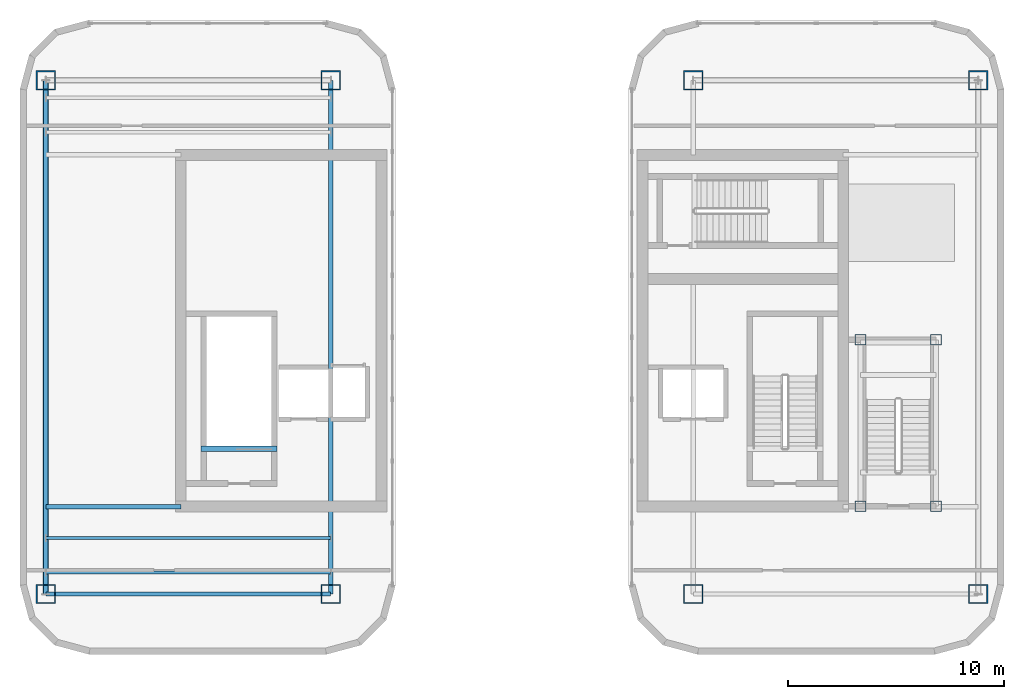
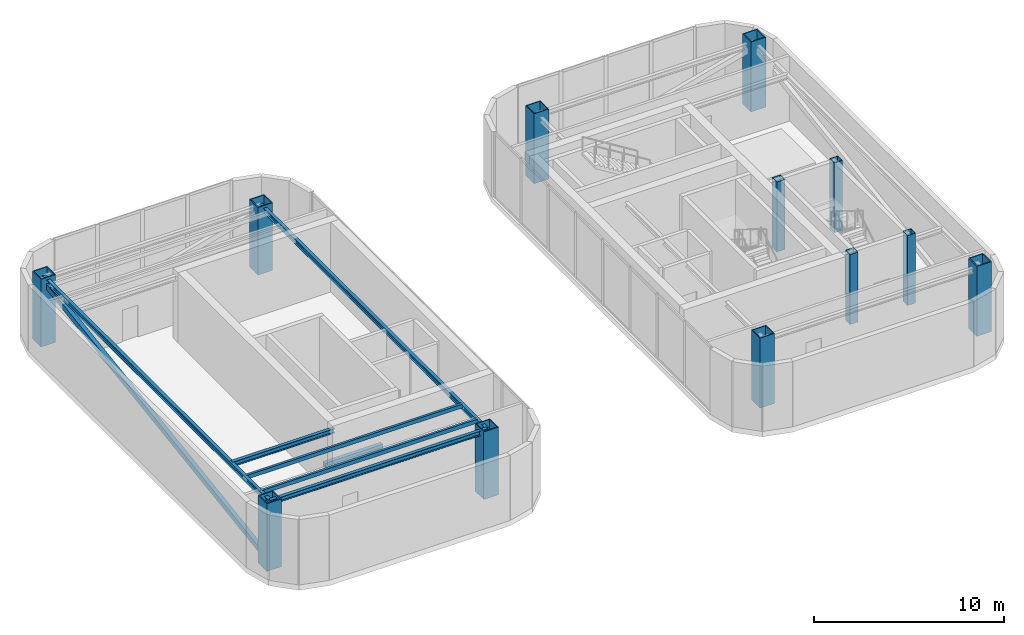
# One storey, part 1 of 13: 12 columns, 5 beams, 3 members.
"""IFC4 building model written with IfcOpenShell, lengths in metres."""

from ifc_helpers import new_model, si_unit, direction, frame, origin, origin_2d, place, context, subcontext, project, spatial, rectangle, hollow_rectangle, i_section, extrude, material, material_profile, profile_set, type_object, element, save


model = new_model("IFC4")

# Units and contexts
model_context = context("Model", 3, precision=1e-05, world=origin(), true_north=direction((0.0, 1.0)))
body_context = subcontext(model_context, "Body", "Model", "MODEL_VIEW")
ifc_project = project(units=[si_unit("LENGTHUNIT", "METRE"), si_unit("AREAUNIT", "SQUARE_METRE"), si_unit("VOLUMEUNIT", "CUBIC_METRE"), si_unit("PLANEANGLEUNIT", "RADIAN"), si_unit("MASSUNIT", "GRAM", prefix="KILO")], contexts=[model_context])

# Site, building, storey
site_placement = place(None, origin())
site = spatial("IfcSite", under=ifc_project, at=site_placement, CompositionType="ELEMENT")
building_placement = place(site_placement, origin())
building = spatial("IfcBuilding", under=site, at=building_placement, Name="Kiyonajd Concourse Tower", CompositionType="ELEMENT")
storey_placement = place(building_placement, frame((0.0, 0.0, 363.89990234375)))
storey = spatial("IfcBuildingStorey", under=building, at=storey_placement, Name="L91", CompositionType="ELEMENT", Elevation=363.89990234375)

# Columns
ifc_material_1 = material(Name="Steel ASTM A572 Grade 50", Category="steel")
ifc_material_profile_1 = material_profile(ifc_material_1, hollow_rectangle(XDim=0.89990234375, YDim=0.89990234375, WallThickness=0.054931640625, at=origin_2d()), Name="BOX-900x900x55")
ifc_profile_set_1 = profile_set([ifc_material_profile_1], Name="Steel ASTM A572 Grade 50")
column_type_1 = type_object("IfcColumnType", Name="CL-CRN-BOX", PredefinedType="COLUMN", material=ifc_profile_set_1)
for number, where, z_axis, x_axis, name in (
    (1, (26.39990234375, 23.800048828125, 0.0), (0.0, 0.0, 1.0), (1.0, 0.0, 0.0), "L91 West Crown Frame Column"),
    (2, (39.60009765625, 23.800048828125, 0.0), (0.0, 0.0, 1.0), (1.0, 0.0, 0.0), "L91 West Crown Frame Column"),
    (3, (39.60009765625, 47.60009765625, 0.0), (0.0, 0.0, 1.0), (1.0, 0.0, 0.0), "L91 West Crown Frame Column"),
    (4, (26.39990234375, 47.60009765625, 0.0), (0.0, 0.0, 1.0), (1.0, 0.0, 0.0), "L91 West Crown Frame Column"),
):
    element("IfcColumn", number, at=place(storey_placement, frame(where, z_axis=z_axis, x_axis=x_axis)), inside=storey, type_object=column_type_1, Name=name, PredefinedType="COLUMN", context=body_context, shape_type="SweptSolid", body=[
        extrude(hollow_rectangle(XDim=0.89990234375, YDim=0.89990234375, WallThickness=0.054931640625, at=origin_2d()), origin(), (0.0, 0.0, 1.0), 4.360107421875),
    ])
for number, where, z_axis, x_axis, name in (
    (5, (56.39990234375, 23.800048828125, 0.0), (0.0, 0.0, 1.0), (1.0, 0.0, 0.0), "L91 East Crown Frame Column"),
    (6, (69.60009765625, 23.800048828125, 0.0), (0.0, 0.0, 1.0), (1.0, 0.0, 0.0), "L91 East Crown Frame Column"),
    (7, (69.60009765625, 47.60009765625, 0.0), (0.0, 0.0, 1.0), (1.0, 0.0, 0.0), "L91 East Crown Frame Column"),
    (8, (56.39990234375, 47.60009765625, 0.0), (0.0, 0.0, 1.0), (1.0, 0.0, 0.0), "L91 East Crown Frame Column"),
):
    element("IfcColumn", number, at=place(storey_placement, frame(where, z_axis=z_axis, x_axis=x_axis)), inside=storey, type_object=column_type_1, Name=name, PredefinedType="COLUMN", context=body_context, shape_type="SweptSolid", body=[
        extrude(hollow_rectangle(XDim=0.89990234375, YDim=0.89990234375, WallThickness=0.054931640625, at=origin_2d()), origin(), (0.0, 0.0, 1.0), 4.5),
    ])
ifc_material_profile_2 = material_profile(ifc_material_1, hollow_rectangle(XDim=0.5, YDim=0.5, WallThickness=0.02490234375, at=origin_2d()), Name="HSS-500x500x25")
ifc_profile_set_2 = profile_set([ifc_material_profile_2], Name="Steel ASTM A572 Grade 50")
column_type_2 = type_object("IfcColumnType", Name="CL-PIL-600", PredefinedType="PILASTER", material=ifc_profile_set_2)
for number, where, z_axis, x_axis, name in (
    (9, (64.14990234375, 27.8701171875, 0.0), (0.0, 0.0, 1.0), (1.0, 0.0, 0.0), "L91 Crown Stair Support Column"),
    (10, (67.64990234375, 27.8701171875, 0.0), (0.0, 0.0, 1.0), (1.0, 0.0, 0.0), "L91 Crown Stair Support Column"),
    (11, (64.14990234375, 35.580078125, 0.0), (0.0, 0.0, 1.0), (1.0, 0.0, 0.0), "L91 Crown Stair Support Column"),
    (12, (67.64990234375, 35.580078125, 0.0), (0.0, 0.0, 1.0), (1.0, 0.0, 0.0), "L91 Crown Stair Support Column"),
):
    element("IfcColumn", number, at=place(storey_placement, frame(where, z_axis=z_axis, x_axis=x_axis)), inside=storey, type_object=column_type_2, Name=name, PredefinedType="PILASTER", context=body_context, shape_type="SweptSolid", body=[
        extrude(hollow_rectangle(XDim=0.5, YDim=0.5, WallThickness=0.02490234375, at=origin_2d()), origin(), (0.0, 0.0, 1.0), 4.5),
    ])

# Beams
ifc_material_2 = material(Name="Steel ASTM A992 Grade 50", Category="steel")
ifc_material_profile_3 = material_profile(ifc_material_2, i_section(OverallWidth=0.2041015625, OverallDepth=0.305908203125, WebThickness=0.008544921875, FlangeThickness=0.0146484375, at=origin_2d()), Name="W310X67")
ifc_profile_set_3 = profile_set([ifc_material_profile_3], Name="Steel ASTM A992 Grade 50")
beam_type_1 = type_object("IfcBeamType", Name="BM-CRN-310", PredefinedType="BEAM", material=ifc_profile_set_3)
beam_1_placement = place(storey_placement, frame((26.39990234375, 23.800048828125, 4.047119140625), z_axis=(1.0, 0.0, 0.0), x_axis=(0.0, 1.0, 0.0)))
element("IfcBeam", 13, at=beam_1_placement, inside=storey, type_object=beam_type_1, Name="L91 W Crown Ring Beam 1", PredefinedType="BEAM", context=body_context, shape_type="SweptSolid", body=[
    extrude(i_section(OverallWidth=0.2041015625, OverallDepth=0.305908203125, WebThickness=0.008544921875, FlangeThickness=0.0146484375, at=origin_2d()), origin(), (0.0, 0.0, 1.0), 13.2001953125),
])
for number, where, z_axis, x_axis, name in (
    (14, (39.60009765625, 23.800048828125, 4.047119140625), (0.0, 1.0, 0.0), (-1.0, 0.0, 0.0), "L91 W Crown Ring Beam 2"),
    (15, (26.39990234375, 47.60009765625, 4.047119140625), (0.0, -1.0, 0.0), (1.0, 0.0, 0.0), "L91 W Crown Ring Beam 4"),
):
    element("IfcBeam", number, at=place(storey_placement, frame(where, z_axis=z_axis, x_axis=x_axis)), inside=storey, type_object=beam_type_1, Name=name, PredefinedType="BEAM", context=body_context, shape_type="SweptSolid", body=[
        extrude(i_section(OverallWidth=0.2041015625, OverallDepth=0.305908203125, WebThickness=0.008544921875, FlangeThickness=0.0146484375, at=origin_2d()), origin(), (0.0, 0.0, 1.0), 23.800048828125),
    ])
beam_2_placement = place(storey_placement, frame((26.39990234375, 27.85009765625, 4.047119140625), z_axis=(1.0, 0.0, 0.0), x_axis=(0.0, 1.0, 0.0)))
element("IfcBeam", 16, at=beam_2_placement, inside=storey, type_object=beam_type_1, Name="L91 W Crown Core Tie South", PredefinedType="BEAM", context=body_context, shape_type="SweptSolid", body=[
    extrude(i_section(OverallWidth=0.2041015625, OverallDepth=0.305908203125, WebThickness=0.008544921875, FlangeThickness=0.0146484375, at=origin_2d()), origin(), (0.0, 0.0, 1.0), 6.25),
])
ifc_material_3 = material(Name="Concrete C50/60", Category="concrete")
ifc_material_profile_4 = material_profile(ifc_material_3, rectangle(XDim=0.239990234375, YDim=0.320068359375, at=origin_2d()), Name="RCBM-240x320")
ifc_profile_set_4 = profile_set([ifc_material_profile_4], Name="Concrete C50/60")
beam_type_2 = type_object("IfcBeamType", Name="BM-LNT-250", PredefinedType="LINTEL", material=ifc_profile_set_4)
beam_3_placement = place(storey_placement, frame((33.590087890625, 30.530029296875, -0.159912109375), z_axis=(1.0, 0.0, 0.0), x_axis=(0.0, 1.0, 0.0)))
element("IfcBeam", 17, at=beam_3_placement, inside=storey, type_object=beam_type_2, Name="L91 Stair ST1 Threshold Support Beam", PredefinedType="LINTEL", context=body_context, shape_type="SweptSolid", body=[
    extrude(rectangle(XDim=0.239990234375, YDim=0.320068359375, at=origin_2d()), origin(), (0.0, 0.0, 1.0), 3.52001953125),
])

# Members
ifc_material_4 = material(Name="Steel ASTM A500 Grade C", Category="steel")
ifc_material_profile_5 = material_profile(ifc_material_4, hollow_rectangle(XDim=0.25, YDim=0.35009765625, WallThickness=0.01611328125, at=origin_2d()), Name="HSS-350x250x16")
ifc_profile_set_5 = profile_set([ifc_material_profile_5], Name="Steel ASTM A500 Grade C")
member_type_1 = type_object("IfcMemberType", Name="MB-CRN-BRC", PredefinedType="BRACE", material=ifc_profile_set_5)
member_placement = place(storey_placement, frame((26.39990234375, 23.800048828125, 0.300048828125), z_axis=(0.0, 0.989057694684, 0.147529239764), x_axis=(-1.0, 0.0, 0.0)))
element("IfcMember", 18, at=member_placement, inside=storey, type_object=member_type_1, Name="L91 W Crown Wind Brace 2", PredefinedType="BRACE", context=body_context, shape_type="SweptSolid", body=[
    extrude(hollow_rectangle(XDim=0.25, YDim=0.35009765625, WallThickness=0.01611328125, at=origin_2d()), origin(), (0.0, 0.0, 1.0), 24.0634765625),
])
ifc_material_profile_6 = material_profile(ifc_material_4, hollow_rectangle(XDim=0.14990234375, YDim=0.25, WallThickness=0.011962890625, at=origin_2d()), Name="HSS-250x150x12")
ifc_profile_set_6 = profile_set([ifc_material_profile_6], Name="Steel ASTM A500 Grade C")
member_type_2 = type_object("IfcMemberType", Name="MB-CRN-PURL", PredefinedType="PURLIN", material=ifc_profile_set_6)
for number, where, z_axis, x_axis, name in (
    (19, (26.39990234375, 24.800048828125, 4.0751953125), (1.0, 0.0, 0.0), (0.0, 1.0, 0.0), "L91 W Crown Roof Purlin 1"),
    (20, (26.39990234375, 26.39990234375, 4.0751953125), (1.0, 0.0, 0.0), (0.0, 1.0, 0.0), "L91 W Crown Roof Purlin 2"),
):
    element("IfcMember", number, at=place(storey_placement, frame(where, z_axis=z_axis, x_axis=x_axis)), inside=storey, type_object=member_type_2, Name=name, PredefinedType="PURLIN", context=body_context, shape_type="SweptSolid", body=[
        extrude(hollow_rectangle(XDim=0.14990234375, YDim=0.25, WallThickness=0.011962890625, at=origin_2d()), origin(), (0.0, 0.0, 1.0), 13.2001953125),
    ])

save(model, "model.ifc")
